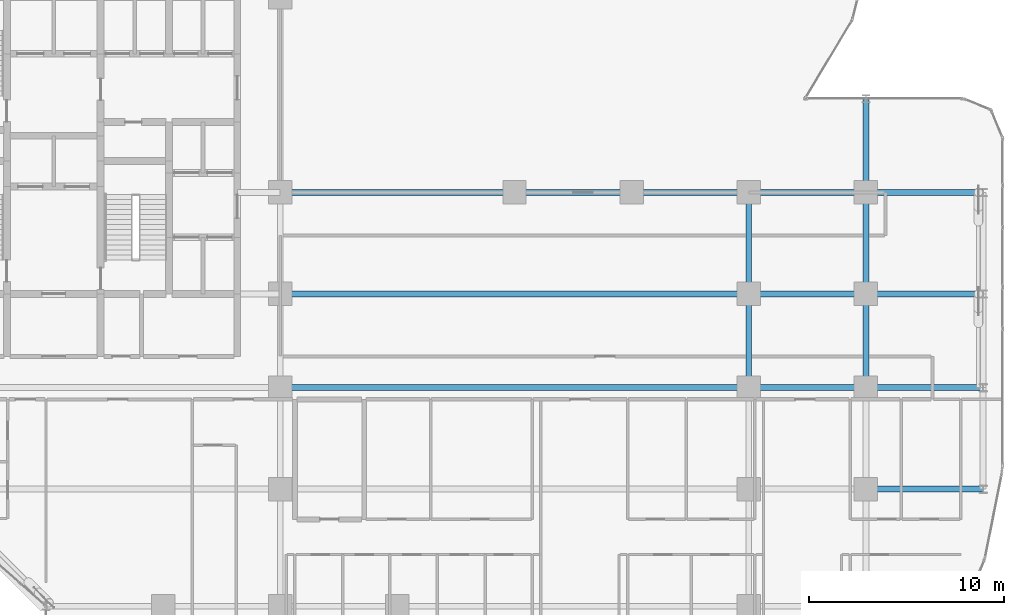
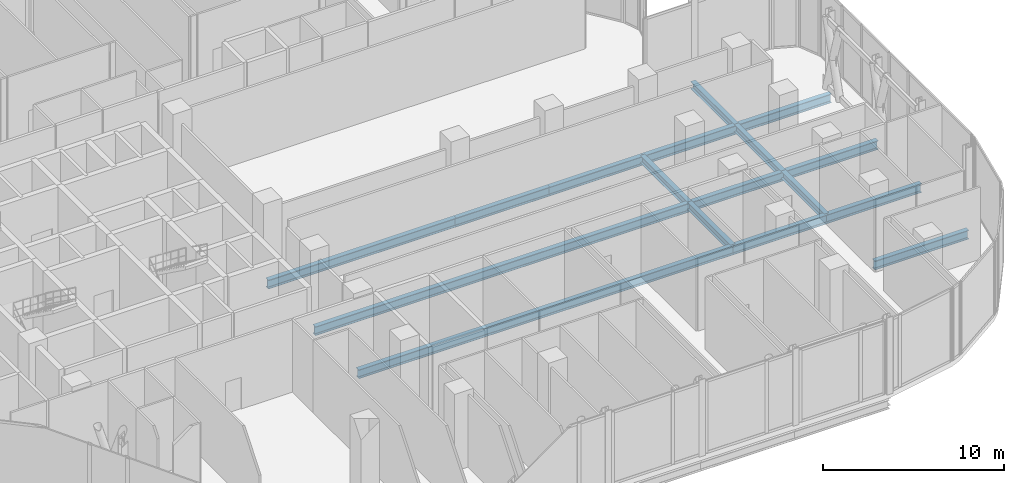
# One storey, part 11 of 36: 17 beams.
"""IFC4 building model written with IfcOpenShell, lengths in metres."""

from ifc_helpers import new_model, si_unit, direction, frame, origin, origin_2d, place, context, subcontext, project, spatial, i_section, extrude, material, material_profile, profile_set, type_object, element, save


model = new_model("IFC4")

# Units and contexts
model_context = context("Model", 3, precision=1e-05, world=origin(), true_north=direction((0.0, 1.0)))
body_context = subcontext(model_context, "Body", "Model", "MODEL_VIEW")
ifc_project = project(units=[si_unit("LENGTHUNIT", "METRE"), si_unit("AREAUNIT", "SQUARE_METRE"), si_unit("VOLUMEUNIT", "CUBIC_METRE"), si_unit("PLANEANGLEUNIT", "RADIAN"), si_unit("MASSUNIT", "GRAM", prefix="KILO")], contexts=[model_context])

# Site, building, storey
site_placement = place(None, origin())
site = spatial("IfcSite", under=ifc_project, at=site_placement, CompositionType="ELEMENT")
building_placement = place(site_placement, origin())
building = spatial("IfcBuilding", under=site, at=building_placement, Name="Keshet Zoharim Tower", CompositionType="ELEMENT")
storey_placement = place(building_placement, frame((0.0, 0.0, 81.199951171875)))
storey = spatial("IfcBuildingStorey", under=building, at=storey_placement, Name="L19", CompositionType="ELEMENT", Elevation=81.199951171875)

# Beams
ifc_material = material(Name="Steel S355", Category="steel")
ifc_material_profile_1 = material_profile(ifc_material, i_section(OverallWidth=0.300048828125, OverallDepth=0.60009765625, WebThickness=0.015380859375, FlangeThickness=0.030029296875, FilletRadius=0.027099609375, at=origin_2d()), Name="HEB600")
ifc_profile_set_1 = profile_set([ifc_material_profile_1], Name="Steel S355")
beam_type_1 = type_object("IfcBeamType", Name="BM-LNG-HB600", PredefinedType="BEAM", material=ifc_profile_set_1)
for number, where, z_axis, x_axis, name in (
    (1, (33.0, 17.89990234375, -0.719970703125), (1.0, 0.0, 0.0), (0.0, 1.0, 0.0), "L19 Primary Girder X-017"),
    (2, (33.0, 22.699951171875, -0.719970703125), (1.0, 0.0, 0.0), (0.0, 1.0, 0.0), "L19 Primary Girder X-020"),
):
    element("IfcBeam", number, at=place(storey_placement, frame(where, z_axis=z_axis, x_axis=x_axis)), inside=storey, type_object=beam_type_1, Name=name, PredefinedType="BEAM", context=body_context, shape_type="SweptSolid", body=[
        extrude(i_section(OverallWidth=0.300048828125, OverallDepth=0.60009765625, WebThickness=0.015380859375, FlangeThickness=0.030029296875, FilletRadius=0.027099609375, at=origin_2d()), origin(), (0.0, 0.0, 1.0), 24.0),
    ])
ifc_material_profile_2 = material_profile(ifc_material, i_section(OverallWidth=0.300048828125, OverallDepth=0.60009765625, WebThickness=0.015380859375, FlangeThickness=0.030029296875, FilletRadius=0.027099609375, at=origin_2d()), Name="HEB600")
ifc_profile_set_2 = profile_set([ifc_material_profile_2], Name="Steel S355")
beam_type_2 = type_object("IfcBeamType", Name="BM-MED-HB600", PredefinedType="BEAM", material=ifc_profile_set_2)
beam_1_placement = place(storey_placement, frame((33.0, 27.89990234375, -0.719970703125), z_axis=(1.0, 0.0, 0.0), x_axis=(0.0, 1.0, 0.0)))
element("IfcBeam", 3, at=beam_1_placement, inside=storey, type_object=beam_type_2, Name="L19 Primary Girder X-023", PredefinedType="BEAM", context=body_context, shape_type="SweptSolid", body=[
    extrude(i_section(OverallWidth=0.300048828125, OverallDepth=0.60009765625, WebThickness=0.015380859375, FlangeThickness=0.030029296875, FilletRadius=0.027099609375, at=origin_2d()), origin(), (0.0, 0.0, 1.0), 12.0),
])
ifc_material_profile_3 = material_profile(ifc_material, i_section(OverallWidth=0.300048828125, OverallDepth=0.5, WebThickness=0.014404296875, FlangeThickness=0.028076171875, FilletRadius=0.027099609375, at=origin_2d()), Name="HEB500")
ifc_profile_set_3 = profile_set([ifc_material_profile_3], Name="Steel S355")
beam_type_3 = type_object("IfcBeamType", Name="BM-WEB-HB500", PredefinedType="BEAM", material=ifc_profile_set_3)
beam_2_placement = place(storey_placement, frame((57.0, 17.89990234375, -0.669921875), z_axis=(0.0, 1.0, 0.0), x_axis=(-1.0, 0.0, 0.0)))
element("IfcBeam", 4, at=beam_2_placement, inside=storey, type_object=beam_type_3, Name="L19 Primary Girder Y-016", PredefinedType="BEAM", context=body_context, shape_type="SweptSolid", body=[
    extrude(i_section(OverallWidth=0.300048828125, OverallDepth=0.5, WebThickness=0.014404296875, FlangeThickness=0.028076171875, FilletRadius=0.027099609375, at=origin_2d()), origin(), (0.0, 0.0, 1.0), 4.800048828125),
])
beam_3_placement = place(storey_placement, frame((57.0, 22.699951171875, -0.669921875), z_axis=(0.0, 1.0, 0.0), x_axis=(-1.0, 0.0, 0.0)))
element("IfcBeam", 5, at=beam_3_placement, inside=storey, type_object=beam_type_3, Name="L19 Primary Girder Y-017", PredefinedType="BEAM", context=body_context, shape_type="SweptSolid", body=[
    extrude(i_section(OverallWidth=0.300048828125, OverallDepth=0.5, WebThickness=0.014404296875, FlangeThickness=0.028076171875, FilletRadius=0.027099609375, at=origin_2d()), origin(), (0.0, 0.0, 1.0), 5.199951171875),
])
beam_4_placement = place(storey_placement, frame((63.0, 17.89990234375, -0.669921875), z_axis=(0.0, 1.0, 0.0), x_axis=(-1.0, 0.0, 0.0)))
element("IfcBeam", 6, at=beam_4_placement, inside=storey, type_object=beam_type_3, Name="L19 Primary Girder Y-020", PredefinedType="BEAM", context=body_context, shape_type="SweptSolid", body=[
    extrude(i_section(OverallWidth=0.300048828125, OverallDepth=0.5, WebThickness=0.014404296875, FlangeThickness=0.028076171875, FilletRadius=0.027099609375, at=origin_2d()), origin(), (0.0, 0.0, 1.0), 4.800048828125),
])
beam_5_placement = place(storey_placement, frame((63.0, 22.699951171875, -0.669921875), z_axis=(0.0, 1.0, 0.0), x_axis=(-1.0, 0.0, 0.0)))
element("IfcBeam", 7, at=beam_5_placement, inside=storey, type_object=beam_type_3, Name="L19 Primary Girder Y-021", PredefinedType="BEAM", context=body_context, shape_type="SweptSolid", body=[
    extrude(i_section(OverallWidth=0.300048828125, OverallDepth=0.5, WebThickness=0.014404296875, FlangeThickness=0.028076171875, FilletRadius=0.027099609375, at=origin_2d()), origin(), (0.0, 0.0, 1.0), 5.199951171875),
])
beam_6_placement = place(storey_placement, frame((63.0, 27.89990234375, -0.669921875), z_axis=(0.0, 1.0, 0.0), x_axis=(-1.0, 0.0, 0.0)))
element("IfcBeam", 8, at=beam_6_placement, inside=storey, type_object=beam_type_3, Name="L19 Primary Girder Y-022", PredefinedType="BEAM", context=body_context, shape_type="SweptSolid", body=[
    extrude(i_section(OverallWidth=0.300048828125, OverallDepth=0.5, WebThickness=0.014404296875, FlangeThickness=0.028076171875, FilletRadius=0.027099609375, at=origin_2d()), origin(), (0.0, 0.0, 1.0), 4.800048828125),
])
ifc_material_profile_4 = material_profile(ifc_material, i_section(OverallWidth=0.300048828125, OverallDepth=0.60009765625, WebThickness=0.015380859375, FlangeThickness=0.030029296875, FilletRadius=0.027099609375, at=origin_2d()), Name="HEB600")
ifc_profile_set_4 = profile_set([ifc_material_profile_4], Name="Steel S355")
beam_type_4 = type_object("IfcBeamType", Name="BM-WEB-HB600", PredefinedType="BEAM", material=ifc_profile_set_4)
for number, where, z_axis, x_axis, name in (
    (9, (63.0, 12.699951171875, -0.719970703125), (1.0, 0.0, 0.0), (0.0, 1.0, 0.0), "L19 Primary Girder X-014"),
    (10, (57.0, 17.89990234375, -0.719970703125), (1.0, 0.0, 0.0), (0.0, 1.0, 0.0), "L19 Primary Girder X-018"),
    (11, (63.0, 17.89990234375, -0.719970703125), (1.0, 0.0, 0.0), (0.0, 1.0, 0.0), "L19 Primary Girder X-019"),
    (12, (57.0, 22.699951171875, -0.719970703125), (1.0, 0.0, 0.0), (0.0, 1.0, 0.0), "L19 Primary Girder X-021"),
    (13, (63.0, 22.699951171875, -0.719970703125), (1.0, 0.0, 0.0), (0.0, 1.0, 0.0), "L19 Primary Girder X-022"),
    (14, (45.0, 27.89990234375, -0.719970703125), (1.0, 0.0, 0.0), (0.0, 1.0, 0.0), "L19 Primary Girder X-024"),
    (15, (51.0, 27.89990234375, -0.719970703125), (1.0, 0.0, 0.0), (0.0, 1.0, 0.0), "L19 Primary Girder X-025"),
    (16, (57.0, 27.89990234375, -0.719970703125), (1.0, 0.0, 0.0), (0.0, 1.0, 0.0), "L19 Primary Girder X-026"),
    (17, (63.0, 27.89990234375, -0.719970703125), (1.0, 0.0, 0.0), (0.0, 1.0, 0.0), "L19 Primary Girder X-027"),
):
    element("IfcBeam", number, at=place(storey_placement, frame(where, z_axis=z_axis, x_axis=x_axis)), inside=storey, type_object=beam_type_4, Name=name, PredefinedType="BEAM", context=body_context, shape_type="SweptSolid", body=[
        extrude(i_section(OverallWidth=0.300048828125, OverallDepth=0.60009765625, WebThickness=0.015380859375, FlangeThickness=0.030029296875, FilletRadius=0.027099609375, at=origin_2d()), origin(), (0.0, 0.0, 1.0), 6.0),
    ])

save(model, "model.ifc")
